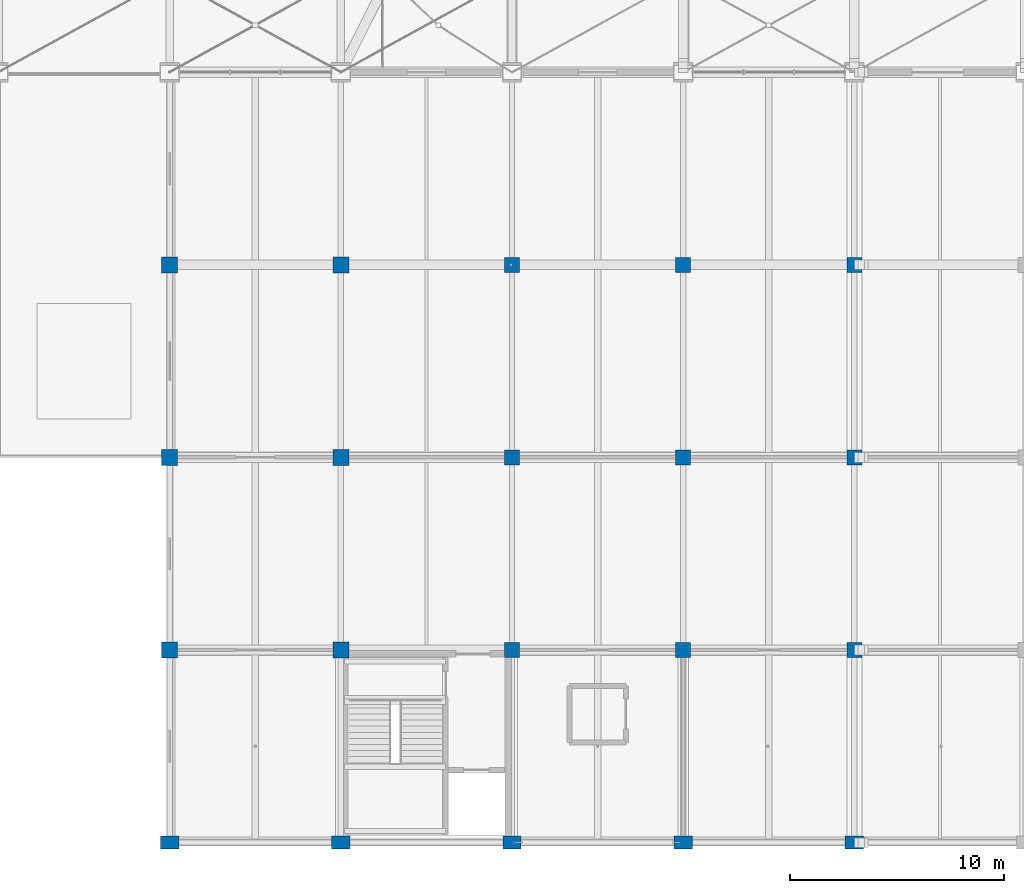
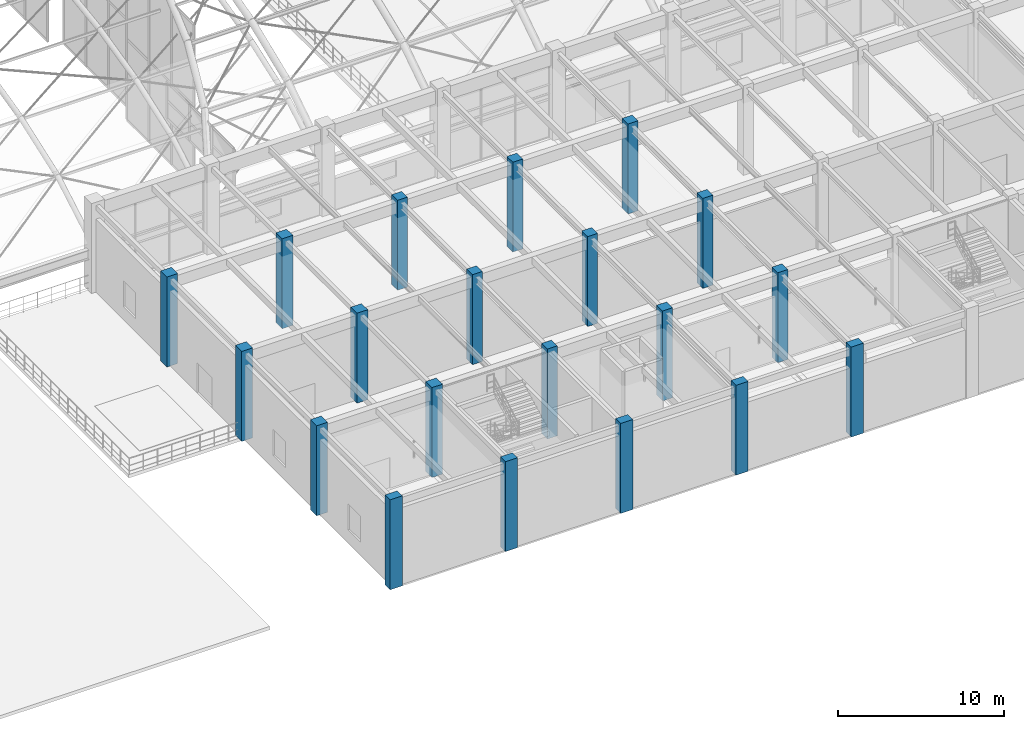
# One storey, part 1 of 163: 20 columns.
"""IFC4 building model written with IfcOpenShell, lengths in metres."""

from ifc_helpers import new_model, si_unit, direction, frame, origin, origin_2d, place, context, subcontext, project, spatial, rectangle, extrude, material, material_profile, profile_set, type_object, element, save


model = new_model("IFC4")

# Units and contexts
model_context = context("Model", 3, precision=1e-05, world=origin(), true_north=direction((0.0, 1.0)))
body_context = subcontext(model_context, "Body", "Model", "MODEL_VIEW")
ifc_project = project(units=[si_unit("LENGTHUNIT", "METRE"), si_unit("AREAUNIT", "SQUARE_METRE"), si_unit("VOLUMEUNIT", "CUBIC_METRE"), si_unit("PLANEANGLEUNIT", "RADIAN"), si_unit("MASSUNIT", "GRAM", prefix="KILO")], contexts=[model_context])

# Site, building, storey
site_placement = place(None, origin())
site = spatial("IfcSite", under=ifc_project, at=site_placement, CompositionType="ELEMENT")
building_placement = place(site_placement, origin())
building = spatial("IfcBuilding", under=site, at=building_placement, Name="Varnabhumi Central Station", CompositionType="ELEMENT")
storey_placement = place(building_placement, frame((0.0, 0.0, 9.60009765625)))
storey = spatial("IfcBuildingStorey", under=building, at=storey_placement, Name="L02", CompositionType="ELEMENT", Elevation=9.60009765625)

# Columns
ifc_material = material(Name="Concrete M40", Category="concrete")
ifc_material_profile_1 = material_profile(ifc_material, rectangle(XDim=0.75, YDim=0.75, at=origin_2d()), Name="Concrete M40", Category="concrete")
ifc_profile_set_1 = profile_set([ifc_material_profile_1], Name="Concrete M40")
column_type_1 = type_object("IfcColumnType", Name="COL-RC-750", PredefinedType="COLUMN", material=ifc_profile_set_1)
for number, where, z_axis, x_axis, name in (
    (1, (32.0, 9.0, 0.0), (0.0, 0.0, 1.0), (1.0, 0.0, 0.0), "Column L02-5B"),
    (2, (32.0, 18.0, 0.0), (0.0, 0.0, 1.0), (1.0, 0.0, 0.0), "Column L02-5C"),
    (3, (32.0, 27.0, 0.0), (0.0, 0.0, 1.0), (1.0, 0.0, 0.0), "Column L02-5D"),
    (4, (40.0, 9.0, 0.0), (0.0, 0.0, 1.0), (1.0, 0.0, 0.0), "Column L02-6B"),
    (5, (40.0, 18.0, 0.0), (0.0, 0.0, 1.0), (1.0, 0.0, 0.0), "Column L02-6C"),
    (6, (40.0, 27.0, 0.0), (0.0, 0.0, 1.0), (1.0, 0.0, 0.0), "Column L02-6D"),
):
    element("IfcColumn", number, at=place(storey_placement, frame(where, z_axis=z_axis, x_axis=x_axis)), inside=storey, type_object=column_type_1, Name=name, PredefinedType="COLUMN", context=body_context, shape_type="SweptSolid", body=[
        extrude(rectangle(XDim=0.75, YDim=0.75, at=origin_2d()), origin(), (0.0, 0.0, 1.0), 6.599853515625),
    ])
ifc_material_profile_2 = material_profile(ifc_material, rectangle(XDim=0.85009765625, YDim=0.60009765625, at=origin_2d()), Name="Concrete M40", Category="concrete")
ifc_profile_set_2 = profile_set([ifc_material_profile_2], Name="Concrete M40")
column_type_2 = type_object("IfcColumnType", Name="COL-RC-850x600", PredefinedType="PILASTER", material=ifc_profile_set_2)
for number, where, z_axis, x_axis, name in (
    (7, (32.0, 0.0, 0.0), (0.0, 0.0, 1.0), (1.0, 0.0, 0.0), "Column L02-5A"),
    (8, (40.0, 0.0, 0.0), (0.0, 0.0, 1.0), (1.0, 0.0, 0.0), "Column L02-6A"),
    (9, (48.0, 0.0, 0.0), (0.0, 0.0, 1.0), (1.0, 0.0, 0.0), "Column L02-7A"),
    (10, (56.0, 0.0, 0.0), (0.0, 0.0, 1.0), (1.0, 0.0, 0.0), "Column L02-8A"),
    (11, (64.0, 0.0, 0.0), (0.0, 0.0, 1.0), (1.0, 0.0, 0.0), "Column L02-9A"),
):
    element("IfcColumn", number, at=place(storey_placement, frame(where, z_axis=z_axis, x_axis=x_axis)), inside=storey, type_object=column_type_2, Name=name, PredefinedType="PILASTER", context=body_context, shape_type="SweptSolid", body=[
        extrude(rectangle(XDim=0.85009765625, YDim=0.60009765625, at=origin_2d()), origin(), (0.0, 0.0, 1.0), 6.599853515625),
    ])
ifc_material_profile_3 = material_profile(ifc_material, rectangle(XDim=0.699951171875, YDim=0.699951171875, at=origin_2d()), Name="Concrete M40", Category="concrete")
ifc_profile_set_3 = profile_set([ifc_material_profile_3], Name="Concrete M40")
column_type_3 = type_object("IfcColumnType", Name="COL-SOUTH-700", PredefinedType="COLUMN", material=ifc_profile_set_3)
for number, where, z_axis, x_axis, name in (
    (12, (48.0, 9.0, 0.0), (0.0, 0.0, 1.0), (1.0, 0.0, 0.0), "Column L02-7B"),
    (13, (48.0, 18.0, 0.0), (0.0, 0.0, 1.0), (1.0, 0.0, 0.0), "Column L02-7C"),
    (14, (48.0, 27.0, 0.0), (0.0, 0.0, 1.0), (1.0, 0.0, 0.0), "Column L02-7D"),
    (15, (56.0, 9.0, 0.0), (0.0, 0.0, 1.0), (1.0, 0.0, 0.0), "Column L02-8B"),
    (16, (56.0, 18.0, 0.0), (0.0, 0.0, 1.0), (1.0, 0.0, 0.0), "Column L02-8C"),
    (17, (56.0, 27.0, 0.0), (0.0, 0.0, 1.0), (1.0, 0.0, 0.0), "Column L02-8D"),
    (18, (64.0, 9.0, 0.0), (0.0, 0.0, 1.0), (1.0, 0.0, 0.0), "Column L02-9B"),
    (19, (64.0, 18.0, 0.0), (0.0, 0.0, 1.0), (1.0, 0.0, 0.0), "Column L02-9C"),
    (20, (64.0, 27.0, 0.0), (0.0, 0.0, 1.0), (1.0, 0.0, 0.0), "Column L02-9D"),
):
    element("IfcColumn", number, at=place(storey_placement, frame(where, z_axis=z_axis, x_axis=x_axis)), inside=storey, type_object=column_type_3, Name=name, PredefinedType="COLUMN", context=body_context, shape_type="SweptSolid", body=[
        extrude(rectangle(XDim=0.699951171875, YDim=0.699951171875, at=origin_2d()), origin(), (0.0, 0.0, 1.0), 6.599853515625),
    ])

save(model, "model.ifc")
